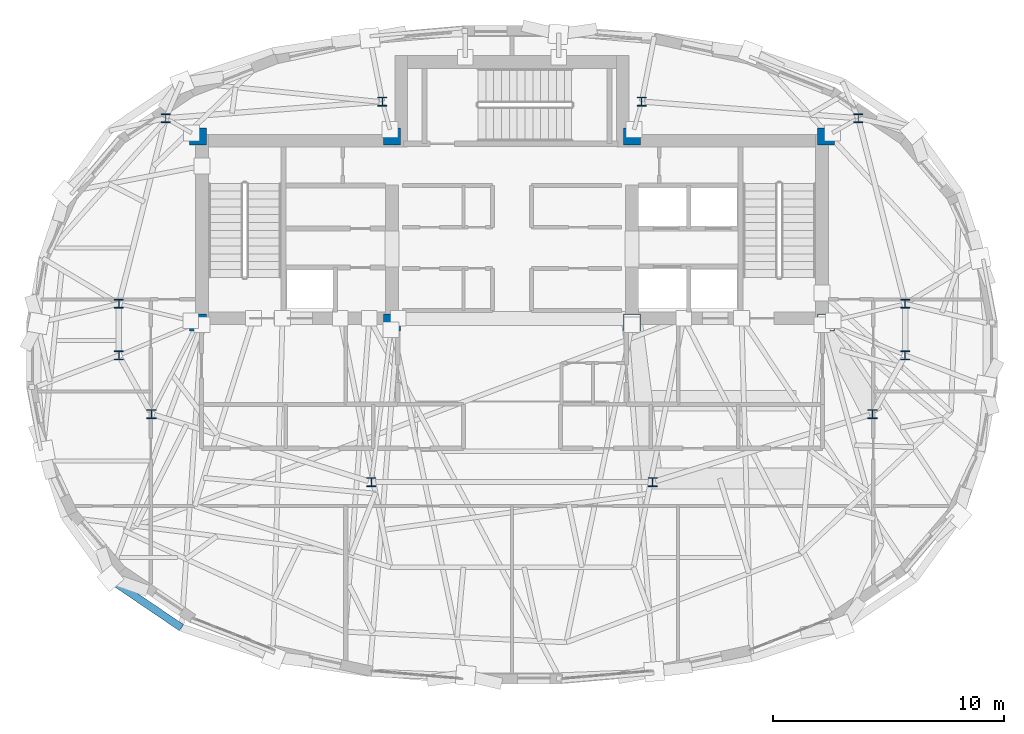
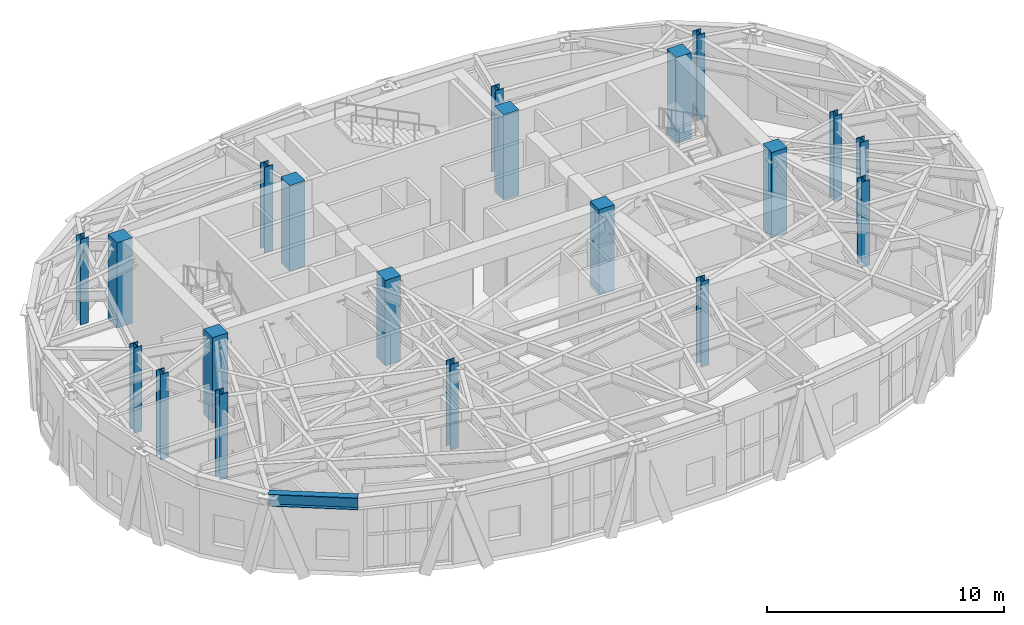
# One storey, part 1 of 15: 20 columns, 1 beam.
"""IFC4 building model written with IfcOpenShell, lengths in metres."""

from ifc_helpers import new_model, si_unit, direction, frame, origin, origin_2d, place, context, subcontext, project, spatial, rectangle, i_section, extrude, material, material_profile, profile_set, type_object, element, save


model = new_model("IFC4")

# Units and contexts
model_context = context("Model", 3, precision=1e-05, world=origin(), true_north=direction((0.0, 1.0)))
body_context = subcontext(model_context, "Body", "Model", "MODEL_VIEW")
ifc_project = project(units=[si_unit("LENGTHUNIT", "METRE"), si_unit("AREAUNIT", "SQUARE_METRE"), si_unit("VOLUMEUNIT", "CUBIC_METRE"), si_unit("PLANEANGLEUNIT", "RADIAN"), si_unit("MASSUNIT", "GRAM", prefix="KILO")], contexts=[model_context])

# Site, building, storey
site_placement = place(None, origin())
site = spatial("IfcSite", under=ifc_project, at=site_placement, CompositionType="ELEMENT")
building_placement = place(site_placement, origin())
building = spatial("IfcBuilding", under=site, at=building_placement, Name="Keldmark Tower", CompositionType="ELEMENT")
storey_placement = place(building_placement, frame((0.0, 0.0, 260.39990234375)))
storey = spatial("IfcBuildingStorey", under=building, at=storey_placement, Name="L74", CompositionType="ELEMENT", Elevation=260.39990234375)

# Columns
ifc_material_1 = material(Name="Concrete C50/60", Category="concrete")
ifc_material_profile_1 = material_profile(ifc_material_1, rectangle(XDim=0.75, YDim=0.75, at=origin_2d()), Name="RC750X750")
ifc_profile_set_1 = profile_set([ifc_material_profile_1], Name="Concrete C50/60")
column_type_1 = type_object("IfcColumnType", Name="Core Boundary Column RC750", PredefinedType="PILASTER", material=ifc_profile_set_1)
for number, where, z_axis, x_axis, name in (
    (1, (-13.60009765625, 1.39990234375, 0.0), (0.0, 0.0, 1.0), (1.0, 0.0, 0.0), "L74 Core Boundary Column CC-W1"),
    (2, (-13.60009765625, 9.449951171875, 0.0), (0.0, 0.0, 1.0), (1.0, 0.0, 0.0), "L74 Core Boundary Column CC-W2"),
    (3, (-5.199951171875, 1.39990234375, 0.0), (0.0, 0.0, 1.0), (1.0, 0.0, 0.0), "L74 Core Boundary Column CC-W3"),
    (4, (-5.199951171875, 9.449951171875, 0.0), (0.0, 0.0, 1.0), (1.0, 0.0, 0.0), "L74 Core Boundary Column CC-W4"),
    (5, (5.199951171875, 1.39990234375, 0.0), (0.0, 0.0, 1.0), (1.0, 0.0, 0.0), "L74 Core Boundary Column CC-E1"),
    (6, (5.199951171875, 9.449951171875, 0.0), (0.0, 0.0, 1.0), (1.0, 0.0, 0.0), "L74 Core Boundary Column CC-E2"),
    (7, (13.60009765625, 1.39990234375, 0.0), (0.0, 0.0, 1.0), (1.0, 0.0, 0.0), "L74 Core Boundary Column CC-E3"),
    (8, (13.60009765625, 9.449951171875, 0.0), (0.0, 0.0, 1.0), (1.0, 0.0, 0.0), "L74 Core Boundary Column CC-E4"),
):
    element("IfcColumn", number, at=place(storey_placement, frame(where, z_axis=z_axis, x_axis=x_axis)), inside=storey, type_object=column_type_1, Name=name, PredefinedType="PILASTER", context=body_context, shape_type="SweptSolid", body=[
        extrude(rectangle(XDim=0.75, YDim=0.75, at=origin_2d()), origin(), (0.0, 0.0, 1.0), 4.400146484375),
    ])
ifc_material_2 = material(Name="Steel ASTM A992 Grade 50", Category="steel")
ifc_material_profile_2 = material_profile(ifc_material_2, i_section(OverallWidth=0.39892578125, OverallDepth=0.386962890625, WebThickness=0.02099609375, FlangeThickness=0.033203125, at=origin_2d()), Name="W14X176")
ifc_profile_set_2 = profile_set([ifc_material_profile_2], Name="Steel ASTM A992 Grade 50")
column_type_2 = type_object("IfcColumnType", Name="Tower Gravity Column W14X176", PredefinedType="COLUMN", material=ifc_profile_set_2)
for number, where, z_axis, x_axis, name in (
    (9, (17.025634765625, 2.2080078125, 0.0), (0.0, 0.0, 1.0), (1.0, 0.0, 0.0), "L74 Tower Gravity Column TC-E1"),
    (10, (14.995849609375, 10.24365234375, 0.0), (0.0, 0.0, 1.0), (1.0, 0.0, 0.0), "L74 Tower Gravity Column TC-E4"),
    (11, (5.61865234375, 10.967041015625, 0.0), (0.0, 0.0, 1.0), (1.0, 0.0, 0.0), "L74 Tower Gravity Column TC-N2"),
    (12, (-5.61865234375, 10.967041015625, 0.0), (0.0, 0.0, 1.0), (1.0, 0.0, 0.0), "L74 Tower Gravity Column TC-N1"),
    (13, (-14.995849609375, 10.24365234375, 0.0), (0.0, 0.0, 1.0), (1.0, 0.0, 0.0), "L74 Tower Gravity Column TC-W4"),
    (14, (-17.025634765625, 2.2080078125, 0.0), (0.0, 0.0, 1.0), (1.0, 0.0, 0.0), "L74 Tower Gravity Column TC-W1"),
    (15, (-17.025634765625, -0.02392578125, 0.0), (0.0, 0.0, 1.0), (1.0, 0.0, 0.0), "L74 Tower Gravity Column TC-W5"),
    (16, (-15.6162109375, -2.5673828125, 0.0), (0.0, 0.0, 1.0), (1.0, 0.0, 0.0), "L74 Tower Gravity Column TC-W2"),
    (17, (-6.089599609375, -5.512939453125, 0.0), (0.0, 0.0, 1.0), (1.0, 0.0, 0.0), "L74 Tower Gravity Column TC-W3"),
    (18, (6.089599609375, -5.512939453125, 0.0), (0.0, 0.0, 1.0), (1.0, 0.0, 0.0), "L74 Tower Gravity Column TC-E3"),
    (19, (15.6162109375, -2.5673828125, 0.0), (0.0, 0.0, 1.0), (1.0, 0.0, 0.0), "L74 Tower Gravity Column TC-E2"),
    (20, (17.025634765625, -0.02392578125, 0.0), (0.0, 0.0, 1.0), (1.0, 0.0, 0.0), "L74 Tower Gravity Column TC-E5"),
):
    element("IfcColumn", number, at=place(storey_placement, frame(where, z_axis=z_axis, x_axis=x_axis)), inside=storey, type_object=column_type_2, Name=name, PredefinedType="COLUMN", context=body_context, shape_type="SweptSolid", body=[
        extrude(i_section(OverallWidth=0.39892578125, OverallDepth=0.386962890625, WebThickness=0.02099609375, FlangeThickness=0.033203125, at=origin_2d()), origin(), (0.0, 0.0, 1.0), 4.400146484375),
    ])

# Beam
ifc_material_3 = material(Name="Steel ASTM A992 Grade 50", Category="steel")
ifc_material_profile_3 = material_profile(ifc_material_3, i_section(OverallWidth=0.326904296875, OverallDepth=0.6220703125, WebThickness=0.015380859375, FlangeThickness=0.0244140625, at=origin_2d()), Name="W24X131")
ifc_profile_set_3 = profile_set([ifc_material_profile_3], Name="Steel ASTM A992 Grade 50")
beam_type = type_object("IfcBeamType", Name="Spandrel Ring Beam W24X131", PredefinedType="SPANDREL", material=ifc_profile_set_3)
beam_placement = place(storey_placement, frame((-17.438720703125, -9.7021484375, 3.869140625), z_axis=(0.827740547026, -0.56111102895, 0.0), x_axis=(0.56111102895, 0.827740547026, 0.0)))
element("IfcBeam", 21, at=beam_placement, inside=storey, type_object=beam_type, Name="L74 Perimeter Spandrel Ring Beam SRB-20", PredefinedType="SPANDREL", context=body_context, shape_type="SweptSolid", body=[
    extrude(i_section(OverallWidth=0.326904296875, OverallDepth=0.6220703125, WebThickness=0.015380859375, FlangeThickness=0.0244140625, at=origin_2d()), origin(), (0.0, 0.0, 1.0), 3.778076171875),
])

save(model, "model.ifc")
